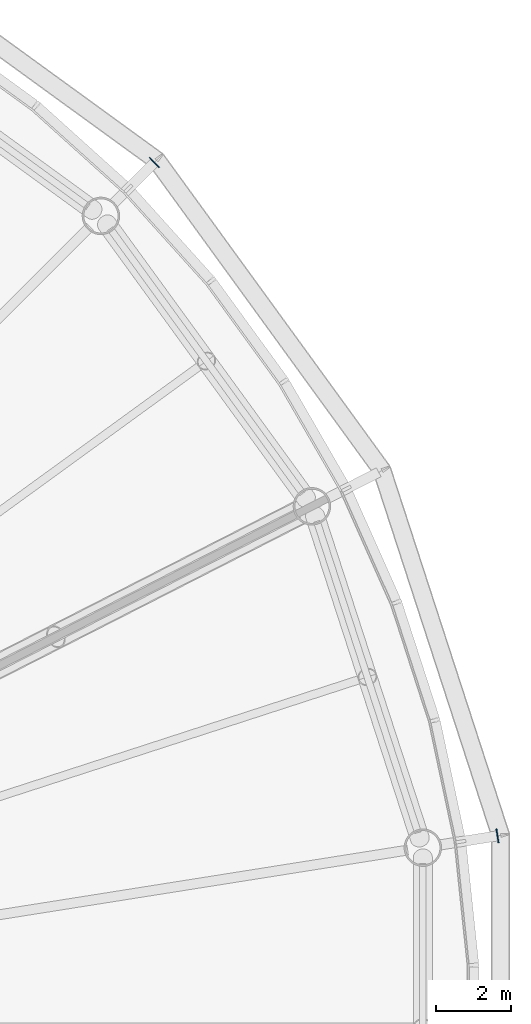
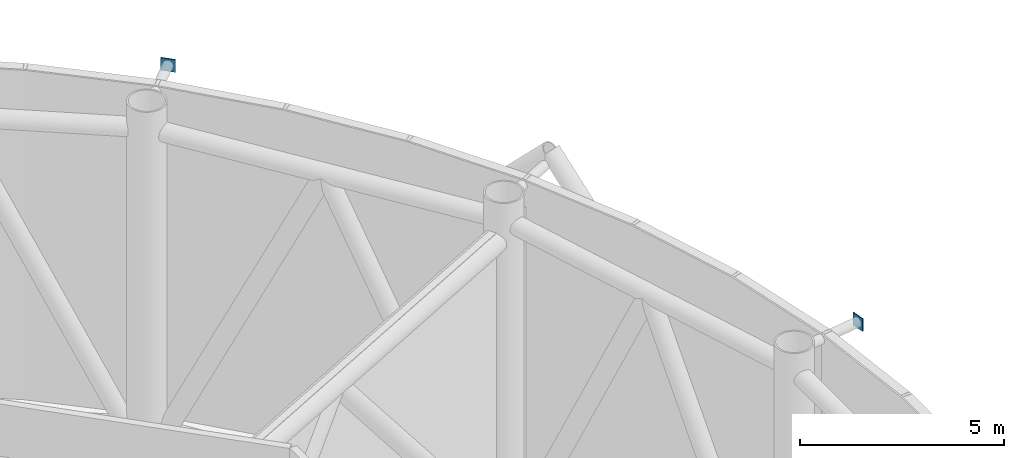
# One storey, part 16 of 23: 2 discrete accessories.
"""IFC4 building model written with IfcOpenShell, lengths in metres."""

from ifc_helpers import new_model, si_unit, direction, frame, origin, origin_2d, place, context, subcontext, project, spatial, rectangle, extrude, material, element, save


model = new_model("IFC4")

# Units and contexts
model_context = context("Model", 3, precision=1e-05, world=origin(), true_north=direction((0.0, 1.0)))
body_context = subcontext(model_context, "Body", "Model", "MODEL_VIEW")
ifc_project = project(units=[si_unit("LENGTHUNIT", "METRE"), si_unit("AREAUNIT", "SQUARE_METRE"), si_unit("VOLUMEUNIT", "CUBIC_METRE"), si_unit("PLANEANGLEUNIT", "RADIAN"), si_unit("MASSUNIT", "GRAM", prefix="KILO")], contexts=[model_context])

# Site, building, storey
site_placement = place(None, origin())
site = spatial("IfcSite", under=ifc_project, at=site_placement, CompositionType="ELEMENT")
building_placement = place(site_placement, origin())
building = spatial("IfcBuilding", under=site, at=building_placement, Name="Entoto Ring Tower", CompositionType="ELEMENT")
storey_placement = place(building_placement, frame((0.0, 0.0, 392.0)))
storey = spatial("IfcBuildingStorey", under=building, at=storey_placement, Name="L91", CompositionType="ELEMENT", Elevation=392.0)

# Discrete accessories
ifc_material = material(Name="Steel S355", Category="steel")
for number, where, z_axis, x_axis, name in (
    (1, (113.062255859375, 103.062255859375, 9.52685546875), (0.0, 0.0, 1.0), (0.707106781187, 0.707106781187, 0.0), "Node strut end plate DS2 ring 29 02"),
    (2, (122.21337890625, 85.10205078125, 9.52685546875), (0.0, 0.0, 1.0), (0.987688340595, 0.15643446504, 0.0), "Node strut end plate DS2 ring 29 20"),
):
    element("IfcDiscreteAccessory", number, at=place(storey_placement, frame(where, z_axis=z_axis, x_axis=x_axis)), inside=storey, material=ifc_material, Name=name, PredefinedType="BRACKET", context=body_context, shape_type="SweptSolid", body=[
        extrude(rectangle(XDim=0.030029296875, YDim=0.373046875, at=origin_2d()), origin(), (0.0, 0.0, 1.0), 0.373046875),
    ])

save(model, "model.ifc")
